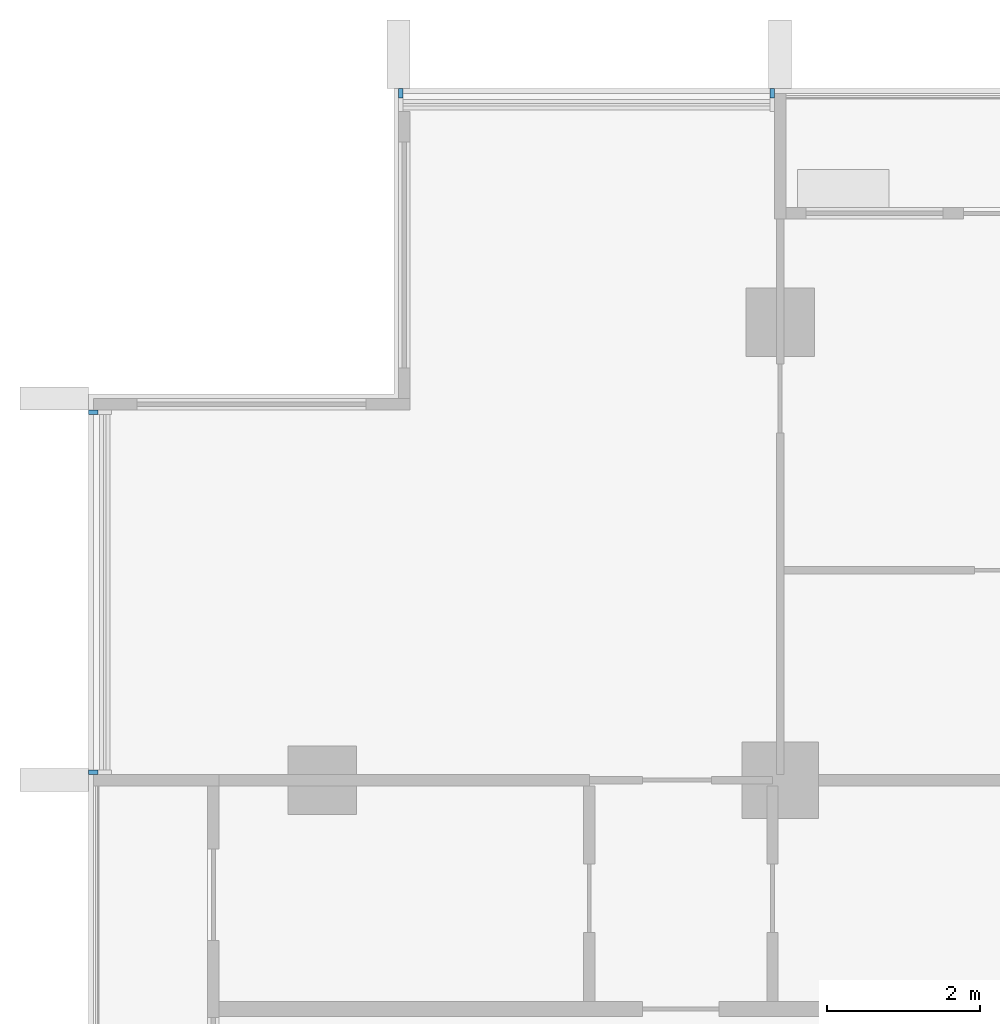
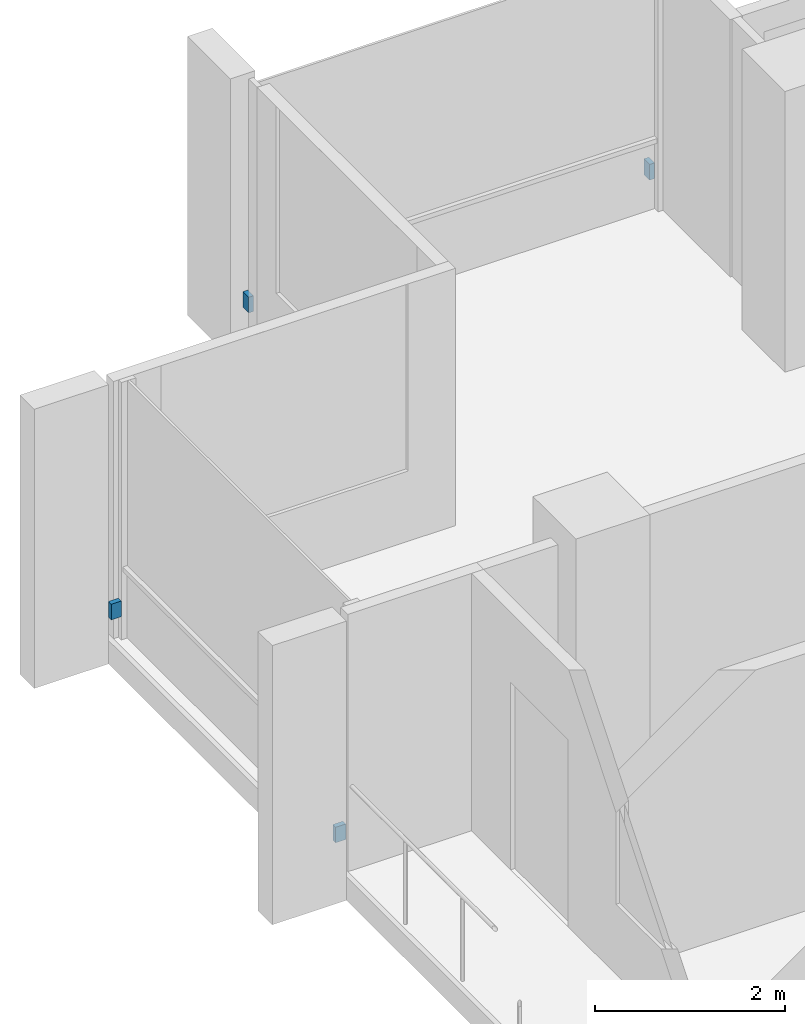
# One storey, part 14 of 16: 4 discrete accessories.
"""IFC4 building model written with IfcOpenShell, lengths in metres."""

from ifc_helpers import new_model, si_unit, direction, frame, origin, origin_2d, place, context, subcontext, project, spatial, rectangle, extrude, material, type_object, element, save


model = new_model("IFC4")

# Units and contexts
model_context = context("Model", 3, precision=1e-05, world=origin(), true_north=direction((0.0, 1.0)))
body_context = subcontext(model_context, "Body", "Model", "MODEL_VIEW")
ifc_project = project(units=[si_unit("LENGTHUNIT", "METRE"), si_unit("AREAUNIT", "SQUARE_METRE"), si_unit("VOLUMEUNIT", "CUBIC_METRE"), si_unit("PLANEANGLEUNIT", "RADIAN"), si_unit("MASSUNIT", "GRAM", prefix="KILO")], contexts=[model_context])

# Site, building, storey
site_placement = place(None, origin())
site = spatial("IfcSite", under=ifc_project, at=site_placement, CompositionType="ELEMENT")
building_placement = place(site_placement, origin())
building = spatial("IfcBuilding", under=site, at=building_placement, Name="Finial Court Residences", CompositionType="ELEMENT")
storey_placement = place(building_placement, frame((0.0, 0.0, 163.699951171875)))
storey = spatial("IfcBuildingStorey", under=building, at=storey_placement, Name="L40", CompositionType="ELEMENT", Elevation=163.699951171875)

# Discrete accessories
ifc_material = material(Name="Stainless steel 316", Category="steel")
discrete_accessory_type = type_object("IfcDiscreteAccessoryType", Name="Fin bracket, stainless steel 60 x 122 x 200", PredefinedType="BRACKET", material=ifc_material)
for number, where, z_axis, x_axis, name in (
    (1, (-15.469970703125, 22.498779296875, 0.30029296875), (0.0, 0.0, 1.0), (1.0, 0.0, 0.0), "E-L40-FIN-N1-BRK"),
    (2, (-10.60498046875, 22.498779296875, 0.30029296875), (0.0, 0.0, 1.0), (1.0, 0.0, 0.0), "E-L40-FIN-N2-BRK"),
):
    element("IfcDiscreteAccessory", number, at=place(storey_placement, frame(where, z_axis=z_axis, x_axis=x_axis)), inside=storey, type_object=discrete_accessory_type, Name=name, PredefinedType="BRACKET", context=body_context, shape_type="SweptSolid", body=[
        extrude(rectangle(XDim=0.06005859375, YDim=0.12255859375, at=origin_2d()), origin(), (0.0, 0.0, 1.0), 0.199951171875),
    ])
for number, where, z_axis, x_axis, name in (
    (3, (-19.498779296875, 13.60498046875, 0.30029296875), (0.0, 0.0, 1.0), (1.0, 0.0, 0.0), "E-L40-FIN-W27-BRK"),
    (4, (-19.498779296875, 18.320068359375, 0.30029296875), (0.0, 0.0, 1.0), (1.0, 0.0, 0.0), "E-L40-FIN-W28-BRK"),
):
    element("IfcDiscreteAccessory", number, at=place(storey_placement, frame(where, z_axis=z_axis, x_axis=x_axis)), inside=storey, type_object=discrete_accessory_type, Name=name, PredefinedType="BRACKET", context=body_context, shape_type="SweptSolid", body=[
        extrude(rectangle(XDim=0.12255859375, YDim=0.06005859375, at=origin_2d()), origin(), (0.0, 0.0, 1.0), 0.199951171875),
    ])

save(model, "model.ifc")
